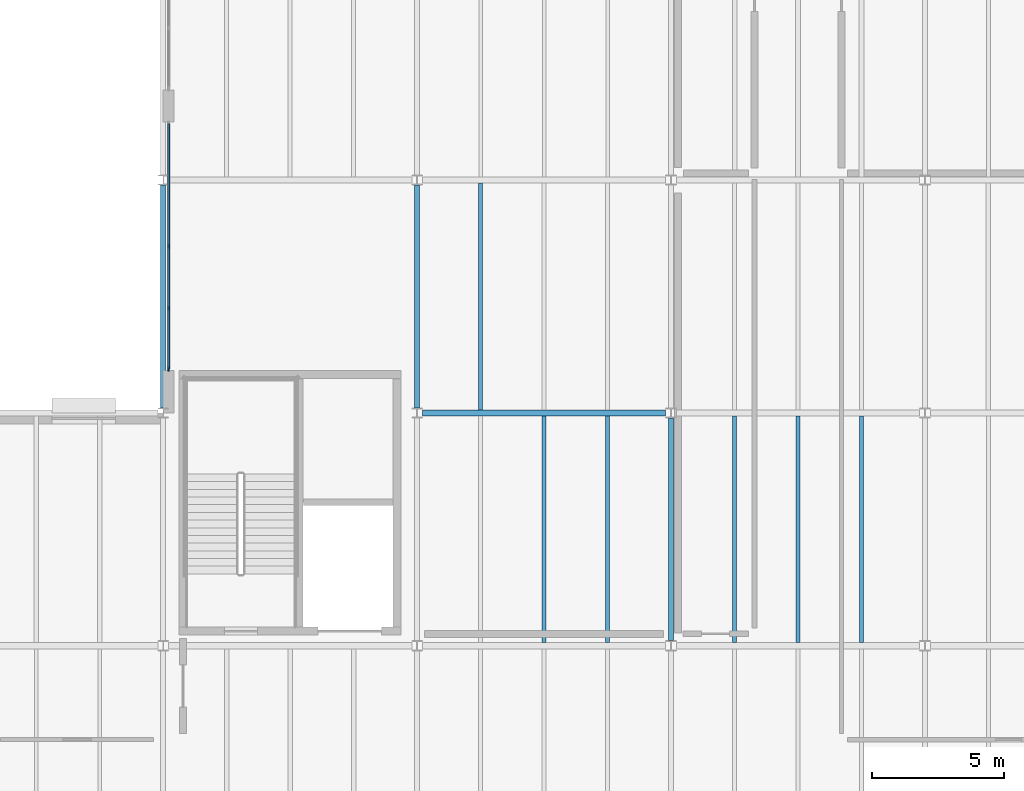
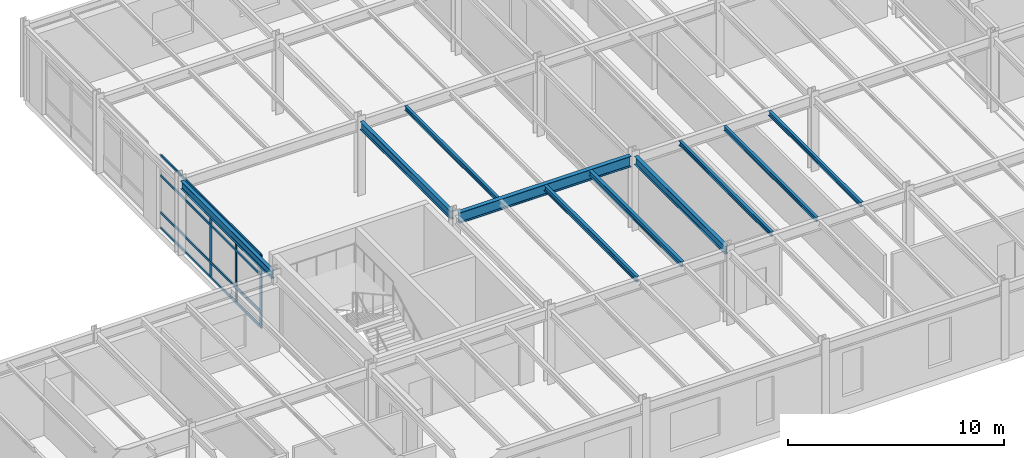
# One storey, part 37 of 88: 10 beams, 7 members, 1 element without a shape of its own.
"""IFC4 building model written with IfcOpenShell, lengths in metres."""

from ifc_helpers import new_model, si_unit, direction, frame, origin, origin_2d, place, context, subcontext, project, spatial, rectangle, i_section, extrude, material, material_profile, profile_set, type_object, element, aggregate, save


model = new_model("IFC4")

# Units and contexts
model_context = context("Model", 3, precision=1e-05, world=origin(), true_north=direction((0.0, 1.0)))
body_context = subcontext(model_context, "Body", "Model", "MODEL_VIEW")
ifc_project = project(units=[si_unit("LENGTHUNIT", "METRE"), si_unit("AREAUNIT", "SQUARE_METRE"), si_unit("VOLUMEUNIT", "CUBIC_METRE"), si_unit("PLANEANGLEUNIT", "RADIAN"), si_unit("MASSUNIT", "GRAM", prefix="KILO")], contexts=[model_context])

# Site, building, storey
site_placement = place(None, origin())
site = spatial("IfcSite", under=ifc_project, at=site_placement, CompositionType="ELEMENT")
building_placement = place(site_placement, origin())
building = spatial("IfcBuilding", under=site, at=building_placement, Name="Sarnbrook Museum", CompositionType="ELEMENT")
storey_placement = place(building_placement, frame((0.0, 0.0, 10.10009765625)))
storey = spatial("IfcBuildingStorey", under=building, at=storey_placement, Name="L02", CompositionType="ELEMENT", Elevation=10.10009765625)

# Beams
ifc_material_1 = material(Name="Structural Steel Grade 300PLUS (AS/NZS 3679.1, fy = 280 MPa for 17 < t <= 40 mm, 300 MPa for t <= 17 mm)", Category="steel")
ifc_material_profile_1 = material_profile(ifc_material_1, i_section(OverallWidth=0.18994140625, OverallDepth=0.45703125, WebThickness=0.009033203125, FlangeThickness=0.014404296875, FilletRadius=0.011474609375, at=origin_2d()), Name="460UB74.6")
ifc_profile_set_1 = profile_set([ifc_material_profile_1], Name="Structural Steel Grade 300PLUS (AS/NZS 3679.1, fy = 280 MPa for 17 < t <= 40 mm, 300 MPa for t <= 17 mm)")
beam_type_1 = type_object("IfcBeamType", Name="BM-UB460", PredefinedType="BEAM", material=ifc_profile_set_1)
for number, where, z_axis, x_axis, name in (
    (1, (42.39990234375, 92.19091796875, 3.9814453125), (0.0, 1.0, 0.0), (-1.0, 0.0, 0.0), "Girder 5:L-M L02"),
    (2, (52.0, 92.19091796875, 3.9814453125), (0.0, 1.0, 0.0), (-1.0, 0.0, 0.0), "Girder 6:L-M L02"),
    (3, (61.60009765625, 83.39111328125, 3.9814453125), (0.0, 1.0, 0.0), (-1.0, 0.0, 0.0), "Girder 7:K-L L02"),
):
    element("IfcBeam", number, at=place(storey_placement, frame(where, z_axis=z_axis, x_axis=x_axis)), inside=storey, type_object=beam_type_1, Name=name, PredefinedType="BEAM", context=body_context, shape_type="SweptSolid", body=[
        extrude(i_section(OverallWidth=0.18994140625, OverallDepth=0.45703125, WebThickness=0.009033203125, FlangeThickness=0.014404296875, FilletRadius=0.011474609375, at=origin_2d()), origin(), (0.0, 0.0, 1.0), 8.41796875),
    ])
ifc_material_profile_2 = material_profile(ifc_material_1, i_section(OverallWidth=0.22802734375, OverallDepth=0.60693359375, WebThickness=0.01123046875, FlangeThickness=0.017333984375, FilletRadius=0.013916015625, at=origin_2d()), Name="610UB113")
ifc_profile_set_2 = profile_set([ifc_material_profile_2], Name="Structural Steel Grade 300PLUS (AS/NZS 3679.1, fy = 280 MPa for 17 < t <= 40 mm, 300 MPa for t <= 17 mm)")
beam_type_2 = type_object("IfcBeamType", Name="BM-UB610", PredefinedType="BEAM", material=ifc_profile_set_2)
beam_placement = place(storey_placement, frame((52.199951171875, 92.0, 3.906494140625), z_axis=(1.0, 0.0, 0.0), x_axis=(0.0, 1.0, 0.0)))
element("IfcBeam", 4, at=beam_placement, inside=storey, type_object=beam_type_2, Name="Girder L:6-7 L02", PredefinedType="BEAM", context=body_context, shape_type="SweptSolid", body=[
    extrude(i_section(OverallWidth=0.22802734375, OverallDepth=0.60693359375, WebThickness=0.01123046875, FlangeThickness=0.017333984375, FilletRadius=0.013916015625, at=origin_2d()), origin(), (0.0, 0.0, 1.0), 9.199951171875),
])

# Curtain wall, members
ifc_material_2 = material(Name="Thermally Broken Anodised Aluminium 6063-T6", Category="aluminium")
curtain_wall_type = type_object("IfcCurtainWallType", Name="CurtainWall_GalleryRibbon", PredefinedType="NOTDEFINED", material=ifc_material_2)
curtain_wall_placement = place(storey_placement, origin())
curtain_wall = element("IfcCurtainWall", 5, at=curtain_wall_placement, inside=storey, type_object=curtain_wall_type, Name="Gallery Ribbon Curtain Wall L02-6.2", PredefinedType="NOTDEFINED")
ifc_material_profile_3 = material_profile(ifc_material_2, rectangle(XDim=0.06005859375, YDim=0.159912109375, at=origin_2d()), Name="ALU MULLION 60x160")
ifc_profile_set_3 = profile_set([ifc_material_profile_3], Name="Thermally Broken Anodised Aluminium 6063-T6")
member_type_1 = type_object("IfcMemberType", Name="CW_Mullion_150x65", PredefinedType="MULLION", material=ifc_profile_set_3)
member_1_placement = place(storey_placement, frame((42.610107421875, 98.300048828125, 0.0), z_axis=(0.0, 0.0, 1.0), x_axis=(1.0, 0.0, 0.0)))
member_1 = element("IfcMember", 6, at=member_1_placement, type_object=member_type_1, Name="Gallery Ribbon Curtain Wall L02-6.2 Mullion 3", PredefinedType="MULLION", context=body_context, shape_type="SweptSolid", body=[
    extrude(rectangle(XDim=0.06005859375, YDim=0.159912109375, at=origin_2d()), origin(), (0.0, 0.0, 1.0), 4.159912109375),
])
member_2_placement = place(storey_placement, frame((42.610107421875, 95.9599609375, 0.0), z_axis=(0.0, 0.0, 1.0), x_axis=(1.0, 0.0, 0.0)))
member_2 = element("IfcMember", 7, at=member_2_placement, type_object=member_type_1, Name="Gallery Ribbon Curtain Wall L02-6.2 Mullion 4", PredefinedType="MULLION", context=body_context, shape_type="SweptSolid", body=[
    extrude(rectangle(XDim=0.06005859375, YDim=0.159912109375, at=origin_2d()), origin(), (0.0, 0.0, 1.0), 4.159912109375),
])
member_3_placement = place(storey_placement, frame((42.610107421875, 93.659912109375, 0.0), z_axis=(0.0, 0.0, 1.0), x_axis=(1.0, 0.0, 0.0)))
member_3 = element("IfcMember", 8, at=member_3_placement, type_object=member_type_1, Name="Gallery Ribbon Curtain Wall L02-6.2 Mullion 5", PredefinedType="MULLION", context=body_context, shape_type="SweptSolid", body=[
    extrude(rectangle(XDim=0.06005859375, YDim=0.159912109375, at=origin_2d()), origin(), (0.0, 0.0, 1.0), 4.159912109375),
])
ifc_material_profile_4 = material_profile(ifc_material_2, rectangle(XDim=0.06494140625, YDim=0.139892578125, at=origin_2d()), Name="ALU TRANSOM 65x140")
ifc_profile_set_4 = profile_set([ifc_material_profile_4], Name="Thermally Broken Anodised Aluminium 6063-T6")
member_type_2 = type_object("IfcMemberType", Name="CW_Transom_150x65", PredefinedType="USERDEFINED", material=ifc_profile_set_4)
member_4_placement = place(storey_placement, frame((42.610107421875, 102.929931640625, 0.039794921875), z_axis=(0.0, -1.0, 0.0), x_axis=(1.0, 0.0, 0.0)))
member_4 = element("IfcMember", 9, at=member_4_placement, type_object=member_type_2, Name="Gallery Ribbon Curtain Wall L02-6.2 Transom 1", ObjectType="TRANSOM", PredefinedType="USERDEFINED", context=body_context, shape_type="SweptSolid", body=[
    extrude(rectangle(XDim=0.06494140625, YDim=0.139892578125, at=origin_2d()), origin(), (0.0, 0.0, 1.0), 9.260009765625),
])
member_5_placement = place(storey_placement, frame((42.610107421875, 102.929931640625, 0.89990234375), z_axis=(0.0, -1.0, 0.0), x_axis=(1.0, 0.0, 0.0)))
member_5 = element("IfcMember", 10, at=member_5_placement, type_object=member_type_2, Name="Gallery Ribbon Curtain Wall L02-6.2 Transom 2", ObjectType="TRANSOM", PredefinedType="USERDEFINED", context=body_context, shape_type="SweptSolid", body=[
    extrude(rectangle(XDim=0.06494140625, YDim=0.139892578125, at=origin_2d()), origin(), (0.0, 0.0, 1.0), 9.260009765625),
])
member_6_placement = place(storey_placement, frame((42.610107421875, 102.929931640625, 3.0), z_axis=(0.0, -1.0, 0.0), x_axis=(1.0, 0.0, 0.0)))
member_6 = element("IfcMember", 11, at=member_6_placement, type_object=member_type_2, Name="Gallery Ribbon Curtain Wall L02-6.2 Transom 3", ObjectType="TRANSOM", PredefinedType="USERDEFINED", context=body_context, shape_type="SweptSolid", body=[
    extrude(rectangle(XDim=0.06494140625, YDim=0.139892578125, at=origin_2d()), origin(), (0.0, 0.0, 1.0), 9.260009765625),
])
member_7_placement = place(storey_placement, frame((42.610107421875, 102.929931640625, 4.119873046875), z_axis=(0.0, -1.0, 0.0), x_axis=(1.0, 0.0, 0.0)))
member_7 = element("IfcMember", 12, at=member_7_placement, type_object=member_type_2, Name="Gallery Ribbon Curtain Wall L02-6.2 Transom 4", ObjectType="TRANSOM", PredefinedType="USERDEFINED", context=body_context, shape_type="SweptSolid", body=[
    extrude(rectangle(XDim=0.06494140625, YDim=0.139892578125, at=origin_2d()), origin(), (0.0, 0.0, 1.0), 9.260009765625),
])
aggregate(curtain_wall, [member_1, member_2, member_3, member_4, member_5, member_6, member_7])

# Beams
ifc_material_profile_5 = material_profile(ifc_material_1, i_section(OverallWidth=0.14599609375, OverallDepth=0.256103515625, WebThickness=0.00634765625, FlangeThickness=0.010986328125, FilletRadius=0.0087890625, at=origin_2d()), Name="250UB37.3")
ifc_profile_set_5 = profile_set([ifc_material_profile_5], Name="Structural Steel Grade 300PLUS (AS/NZS 3679.1, fy = 280 MPa for 17 < t <= 40 mm, 300 MPa for t <= 17 mm)")
beam_type_3 = type_object("IfcBeamType", Name="JS-UB250", PredefinedType="JOIST", material=ifc_profile_set_5)
for number, where, z_axis, x_axis, name in (
    (13, (54.39990234375, 92.114013671875, 4.081787109375), (0.0, 1.0, 0.0), (-1.0, 0.0, 0.0), "Composite Floor Joist 6L-1 L02"),
    (14, (64.0, 83.31396484375, 4.081787109375), (0.0, 1.0, 0.0), (-1.0, 0.0, 0.0), "Composite Floor Joist 7K-1 L02"),
    (15, (66.39990234375, 83.31396484375, 4.081787109375), (0.0, 1.0, 0.0), (-1.0, 0.0, 0.0), "Composite Floor Joist 7K-2 L02"),
    (16, (68.800048828125, 83.31396484375, 4.081787109375), (0.0, 1.0, 0.0), (-1.0, 0.0, 0.0), "Composite Floor Joist 7K-3 L02"),
):
    element("IfcBeam", number, at=place(storey_placement, frame(where, z_axis=z_axis, x_axis=x_axis)), inside=storey, type_object=beam_type_3, Name=name, PredefinedType="JOIST", context=body_context, shape_type="SweptSolid", body=[
        extrude(i_section(OverallWidth=0.14599609375, OverallDepth=0.256103515625, WebThickness=0.00634765625, FlangeThickness=0.010986328125, FilletRadius=0.0087890625, at=origin_2d()), origin(), (0.0, 0.0, 1.0), 8.572021484375),
    ])
ifc_material_profile_6 = material_profile(ifc_material_1, i_section(OverallWidth=0.1650390625, OverallDepth=0.303955078125, WebThickness=0.006103515625, FlangeThickness=0.01025390625, FilletRadius=0.011474609375, at=origin_2d()), Name="310UB40.4")
ifc_profile_set_6 = profile_set([ifc_material_profile_6], Name="Structural Steel Grade 300PLUS (AS/NZS 3679.1, fy = 280 MPa for 17 < t <= 40 mm, 300 MPa for t <= 17 mm)")
beam_type_4 = type_object("IfcBeamType", Name="JS-UB310", PredefinedType="JOIST", material=ifc_profile_set_6)
for number, where, z_axis, x_axis, name in (
    (17, (56.800048828125, 83.31396484375, 4.057861328125), (0.0, 1.0, 0.0), (-1.0, 0.0, 0.0), "Composite Floor Joist 6K-2 L02"),
    (18, (59.199951171875, 83.31396484375, 4.057861328125), (0.0, 1.0, 0.0), (-1.0, 0.0, 0.0), "Composite Floor Joist 6K-3 L02"),
):
    element("IfcBeam", number, at=place(storey_placement, frame(where, z_axis=z_axis, x_axis=x_axis)), inside=storey, type_object=beam_type_4, Name=name, PredefinedType="JOIST", context=body_context, shape_type="SweptSolid", body=[
        extrude(i_section(OverallWidth=0.1650390625, OverallDepth=0.303955078125, WebThickness=0.006103515625, FlangeThickness=0.01025390625, FilletRadius=0.011474609375, at=origin_2d()), origin(), (0.0, 0.0, 1.0), 8.572021484375),
    ])

save(model, "model.ifc")
